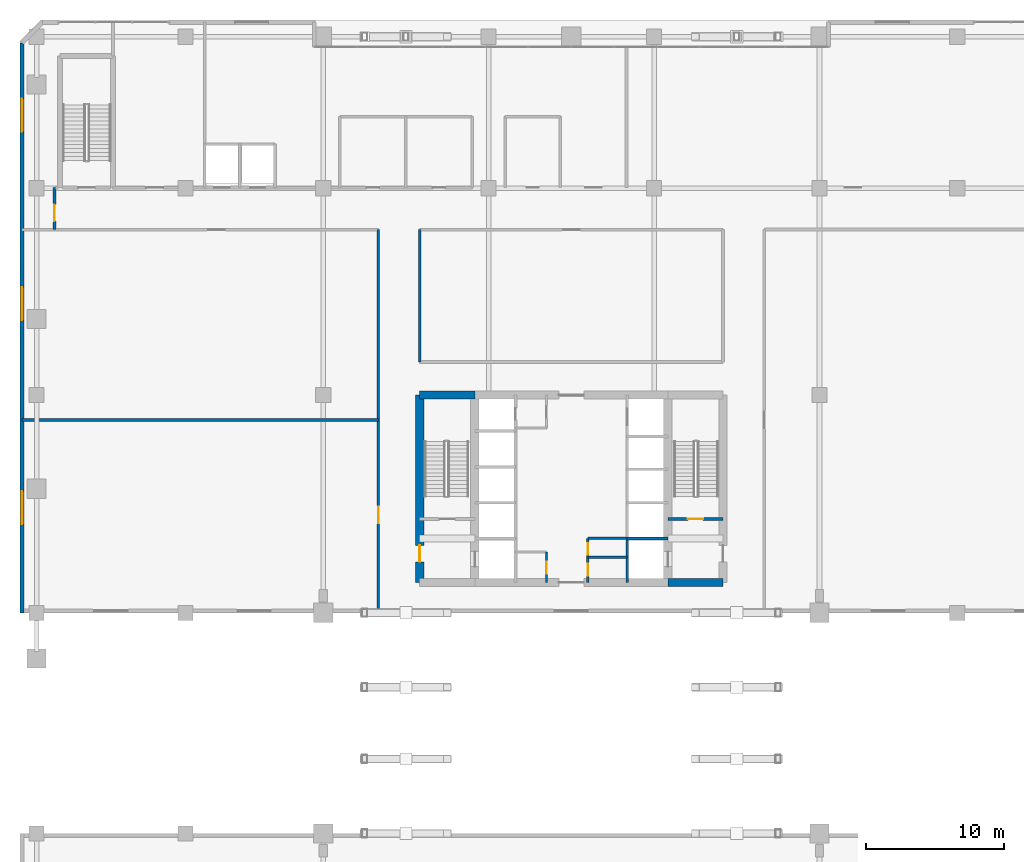
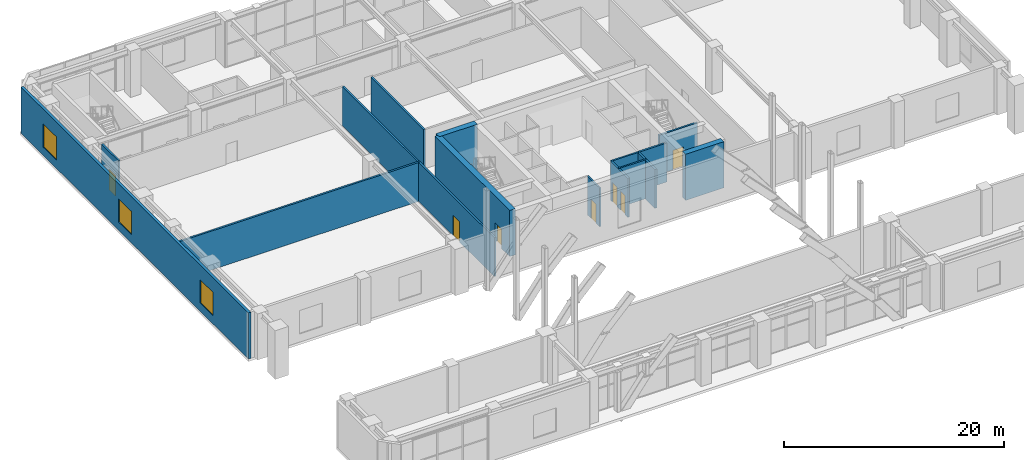
# One storey, part 22 of 28: 15 walls, 7 doors, 3 windows, 10 openings.
"""IFC4 building model written with IfcOpenShell, lengths in metres."""

from ifc_helpers import new_model, si_unit, direction, frame, frame_2d, origin, place, context, subcontext, project, spatial, rectangle, extrude, material, layer, layer_set, type_object, element, fill, save


model = new_model("IFC4")

# Units and contexts
model_context = context("Model", 3, precision=1e-05, world=origin(), true_north=direction((0.0, 1.0)))
body_context = subcontext(model_context, "Body", "Model", "MODEL_VIEW")
ifc_project = project(units=[si_unit("LENGTHUNIT", "METRE"), si_unit("AREAUNIT", "SQUARE_METRE"), si_unit("VOLUMEUNIT", "CUBIC_METRE"), si_unit("PLANEANGLEUNIT", "RADIAN"), si_unit("MASSUNIT", "GRAM", prefix="KILO")], contexts=[model_context])

# Site, building, storey
site_placement = place(None, origin())
site = spatial("IfcSite", under=ifc_project, at=site_placement, CompositionType="ELEMENT")
building_placement = place(site_placement, origin())
building = spatial("IfcBuilding", under=site, at=building_placement, Name="Sarneth Arch Tower", CompositionType="ELEMENT")
storey_placement = place(building_placement, frame((0.0, 0.0, 6.0)))
storey = spatial("IfcBuildingStorey", under=building, at=storey_placement, Name="L01", CompositionType="ELEMENT", Elevation=6.0)

# Walls
ifc_material_1 = material(Name="Concrete C60/75", Category="concrete")
ifc_layer_1 = layer(ifc_material_1, 0.60009765625)
ifc_layer_set_1 = layer_set([ifc_layer_1], Name="Concrete C60/75")
wall_type_1 = type_object("IfcWallType", Name="WALL-CORE-600", PredefinedType="SHEAR", material=ifc_layer_set_1)
for number, where, z_axis, x_axis, name in (
    (1, (55.0, 35.199951171875, 0.0), (0.0, 0.0, 1.0), (1.0, 0.0, 0.0), "L01 Core shear wall S-E"),
    (2, (37.0, 48.800048828125, 0.0), (0.0, 0.0, 1.0), (1.0, 0.0, 0.0), "L01 Core shear wall N-W"),
):
    element("IfcWall", number, at=place(storey_placement, frame(where, z_axis=z_axis, x_axis=x_axis)), inside=storey, type_object=wall_type_1, Name=name, PredefinedType="SHEAR", context=body_context, shape_type="SweptSolid", body=[
        extrude(rectangle(XDim=4.0, YDim=0.60009765625, at=frame_2d((2.0, 0.0))), origin(), (0.0, 0.0, 1.0), 5.1201171875),
    ])

# Wall, opening, door
wall_1_placement = place(storey_placement, frame((37.0, 35.199951171875, 0.0), z_axis=(0.0, 0.0, 1.0), x_axis=(0.0, 1.0, 0.0)))
wall_1 = element("IfcWall", 3, at=wall_1_placement, inside=storey, type_object=wall_type_1, Name="L01 Core shear wall W", PredefinedType="SHEAR", context=body_context, shape_type="SweptSolid", body=[
    extrude(rectangle(XDim=13.60009765625, YDim=0.60009765625, at=frame_2d((6.800048828125, 0.0))), origin(), (0.0, 0.0, 1.0), 5.1201171875),
])
opening_1_placement = place(wall_1_placement, frame((1.5, 0.0, 0.0)))
opening_1 = element("IfcOpeningElement", 4, at=opening_1_placement, cuts=wall_1, Name="Opening FD-02", PredefinedType="OPENING", context=body_context, shape_type="SweptSolid", body=[
    extrude(rectangle(XDim=1.199951171875, YDim=2.14990234375, at=frame_2d((0.60009765625, 1.074951171875))), frame((0.0, 0.31005859375, 0.0), z_axis=(0.0, -1.0, 0.0), x_axis=(1.0, 0.0, 0.0)), (0.0, 0.0, 1.0), 0.6201171875),
])
ifc_material_2 = material(Name="Galvanised Steel S275 fire door set", Category="steel")
door_type_1 = type_object("IfcDoorType", Name="DR-FD90-1200", OperationType="SINGLE_SWING_LEFT", PredefinedType="DOOR", material=ifc_material_2)
door_1_placement = place(opening_1_placement, origin())
door_1 = element("IfcDoor", 5, at=door_1_placement, inside=storey, type_object=door_type_1, Name="L01 Firefighting lobby 1 exit door", OperationType="SINGLE_SWING_LEFT", OverallHeight=2.14990234375, OverallWidth=1.199951171875, PredefinedType="DOOR", context=body_context, shape_type="SweptSolid", body=[
    extrude(rectangle(XDim=1.199951171875, YDim=2.14990234375, at=frame_2d((0.60009765625, 1.074951171875))), frame((0.0, 0.02490234375, 0.0), z_axis=(0.0, -1.0, 0.0), x_axis=(1.0, 0.0, 0.0)), (0.0, 0.0, 1.0), 0.050048828125),
])
fill(opening_1, door_1)

ifc_material_3 = material(Name="Double steel-stud corridor fire wall", Category="steel")
ifc_layer_2 = layer(ifc_material_3, 0.18994140625)
ifc_layer_set_2 = layer_set([ifc_layer_2], Name="Double steel-stud corridor fire wall")
wall_type_2 = type_object("IfcWallType", Name="WALL-CORR-190", PredefinedType="PARTITIONING", material=ifc_layer_set_2)
wall_2_placement = place(storey_placement, frame((34.0, 33.14990234375, 0.0), z_axis=(0.0, 0.0, 1.0), x_axis=(0.0, 1.0, 0.0)))
wall_2 = element("IfcWall", 6, at=wall_2_placement, inside=storey, type_object=wall_type_2, Name="L01 Interior partition W-L01-TP-001", PredefinedType="PARTITIONING", context=body_context, shape_type="SweptSolid", body=[
    extrude(rectangle(XDim=27.650146484375, YDim=0.18994140625, at=frame_2d((13.8251953125, 0.0))), origin(), (0.0, 0.0, 1.0), 4.320068359375),
])
opening_2_placement = place(wall_2_placement, frame((6.341064453125, 0.0, 0.0)))
opening_2 = element("IfcOpeningElement", 7, at=opening_2_placement, cuts=wall_2, Name="Opening FD-06", PredefinedType="OPENING", context=body_context, shape_type="SweptSolid", body=[
    extrude(rectangle(XDim=1.199951171875, YDim=2.25, at=frame_2d((0.60009765625, 1.125))), frame((0.0, 0.10498046875, 0.0), z_axis=(0.0, -1.0, 0.0), x_axis=(1.0, 0.0, 0.0)), (0.0, 0.0, 1.0), 0.2099609375),
])
ifc_material_4 = material(Name="Hardwood timber acoustic fire door", Category="wood")
door_type_2 = type_object("IfcDoorType", Name="DR-FD60-1200", OperationType="SINGLE_SWING_LEFT", PredefinedType="DOOR", material=ifc_material_4)
door_2_placement = place(opening_2_placement, origin())
door_2 = element("IfcDoor", 8, at=door_2_placement, inside=storey, type_object=door_type_2, Name="L01 Interior door DR-L01-RET1", OperationType="SINGLE_SWING_LEFT", OverallHeight=2.25, OverallWidth=1.199951171875, PredefinedType="DOOR", context=body_context, shape_type="SweptSolid", body=[
    extrude(rectangle(XDim=1.199951171875, YDim=2.25, at=frame_2d((0.60009765625, 1.125))), frame((0.0, 0.02490234375, 0.0), z_axis=(0.0, -1.0, 0.0), x_axis=(1.0, 0.0, 0.0)), (0.0, 0.0, 1.0), 0.050048828125),
])
fill(opening_2, door_2)

# Wall
wall_3_placement = place(storey_placement, frame((37.0, 60.800048828125, 0.0), z_axis=(0.0, 0.0, 1.0), x_axis=(0.0, -1.0, 0.0)))
element("IfcWall", 9, at=wall_3_placement, inside=storey, type_object=wall_type_2, Name="L01 Interior partition W-L01-TP-006", PredefinedType="PARTITIONING", context=body_context, shape_type="SweptSolid", body=[
    extrude(rectangle(XDim=9.60009765625, YDim=0.18994140625, at=frame_2d((4.800048828125, 0.0))), origin(), (0.0, 0.0, 1.0), 4.320068359375),
])

# Wall, opening, door
wall_4_placement = place(storey_placement, frame((10.5, 60.800048828125, 0.0), z_axis=(0.0, 0.0, 1.0), x_axis=(0.0, 1.0, 0.0)))
wall_4 = element("IfcWall", 10, at=wall_4_placement, inside=storey, type_object=wall_type_2, Name="L01 Interior partition W-L01-TP-018", PredefinedType="PARTITIONING", context=body_context, shape_type="SweptSolid", body=[
    extrude(rectangle(XDim=3.050048828125, YDim=0.18994140625, at=frame_2d((1.52490234375, 0.0))), origin(), (0.0, 0.0, 1.0), 4.320068359375),
])
opening_3_placement = place(wall_4_placement, frame((0.625, 0.0, 0.0)))
opening_3 = element("IfcOpeningElement", 11, at=opening_3_placement, cuts=wall_4, Name="Opening FD-06", PredefinedType="OPENING", context=body_context, shape_type="SweptSolid", body=[
    extrude(rectangle(XDim=1.199951171875, YDim=2.25, at=frame_2d((0.60009765625, 1.125))), frame((0.0, 0.10498046875, 0.0), z_axis=(0.0, -1.0, 0.0), x_axis=(1.0, 0.0, 0.0)), (0.0, 0.0, 1.0), 0.2099609375),
])
door_3_placement = place(opening_3_placement, origin())
door_3 = element("IfcDoor", 12, at=door_3_placement, inside=storey, type_object=door_type_2, Name="L01 Interior door DR-L01-CLSW", OperationType="SINGLE_SWING_RIGHT", OverallHeight=2.25, OverallWidth=1.199951171875, PredefinedType="DOOR", context=body_context, shape_type="SweptSolid", body=[
    extrude(rectangle(XDim=1.199951171875, YDim=2.25, at=frame_2d((0.60009765625, 1.125))), frame((0.0, 0.02490234375, 0.0), z_axis=(0.0, -1.0, 0.0), x_axis=(1.0, 0.0, 0.0)), (0.0, 0.0, 1.0), 0.050048828125),
])
fill(opening_3, door_3)

# Wall, openings, windows
ifc_material_5 = material(Name="Extruded terracotta rainscreen on Concrete C40/50 backing", Category="masonry")
ifc_layer_3 = layer(ifc_material_5, 0.280029296875)
ifc_layer_set_3 = layer_set([ifc_layer_3], Name="Extruded terracotta rainscreen on Concrete C40/50 backing")
wall_type_3 = type_object("IfcWallType", Name="WALL-EXT-TERRA-280", PredefinedType="SOLIDWALL", material=ifc_layer_set_3)
wall_5_placement = place(storey_placement, frame((8.14990234375, 33.0, 0.0), z_axis=(0.0, 0.0, 1.0), x_axis=(0.0, 1.0, 0.0)))
wall_5 = element("IfcWall", 13, at=wall_5_placement, inside=storey, type_object=wall_type_3, Name="L01 West podium north wall", PredefinedType="SOLIDWALL", context=body_context, shape_type="SweptSolid", body=[
    extrude(rectangle(XDim=41.35009765625, YDim=0.280029296875, at=frame_2d((20.675048828125, 0.0))), origin(), (0.0, 0.0, 1.0), 5.1201171875),
])
opening_4_placement = place(wall_5_placement, frame((6.425048828125, 0.0, 0.89990234375)))
opening_4 = element("IfcOpeningElement", 14, at=opening_4_placement, cuts=wall_5, Name="Opening W-02", PredefinedType="OPENING", context=body_context, shape_type="SweptSolid", body=[
    extrude(rectangle(XDim=2.39990234375, YDim=2.60009765625, at=frame_2d((1.199951171875, 1.300048828125))), frame((0.0, 0.14990234375, 0.0), z_axis=(0.0, -1.0, 0.0), x_axis=(1.0, 0.0, 0.0)), (0.0, 0.0, 1.0), 0.300048828125),
])
opening_5_placement = place(wall_5_placement, frame((21.22509765625, 0.0, 0.89990234375)))
opening_5 = element("IfcOpeningElement", 15, at=opening_5_placement, cuts=wall_5, Name="Opening W-02", PredefinedType="OPENING", context=body_context, shape_type="SweptSolid", body=[
    extrude(rectangle(XDim=2.39990234375, YDim=2.60009765625, at=frame_2d((1.199951171875, 1.300048828125))), frame((0.0, 0.14990234375, 0.0), z_axis=(0.0, -1.0, 0.0), x_axis=(1.0, 0.0, 0.0)), (0.0, 0.0, 1.0), 0.300048828125),
])
opening_6_placement = place(wall_5_placement, frame((34.89990234375, 0.0, 0.89990234375)))
opening_6 = element("IfcOpeningElement", 16, at=opening_6_placement, cuts=wall_5, Name="Opening W-02", PredefinedType="OPENING", context=body_context, shape_type="SweptSolid", body=[
    extrude(rectangle(XDim=2.39990234375, YDim=2.60009765625, at=frame_2d((1.199951171875, 1.300048828125))), frame((0.0, 0.14990234375, 0.0), z_axis=(0.0, -1.0, 0.0), x_axis=(1.0, 0.0, 0.0)), (0.0, 0.0, 1.0), 0.300048828125),
])
ifc_material_6 = material(Name="Thermally broken Aluminium 6063-T6 and low-e laminated IGU", Category="aluminium")
window_type = type_object("IfcWindowType", Name="WIN-POD-2400x2600", PartitioningType="DOUBLE_PANEL_VERTICAL", PredefinedType="WINDOW", material=ifc_material_6)
window_1_placement = place(opening_4_placement, origin())
window_1 = element("IfcWindow", 17, at=window_1_placement, inside=storey, type_object=window_type, Name="L01 West window 1", OverallHeight=2.60009765625, OverallWidth=2.39990234375, PartitioningType="SINGLE_PANEL", PredefinedType="WINDOW", context=body_context, shape_type="SweptSolid", body=[
    extrude(rectangle(XDim=2.39990234375, YDim=2.60009765625, at=frame_2d((1.199951171875, 1.300048828125))), frame((0.0, 0.030029296875, 0.0), z_axis=(0.0, -1.0, 0.0), x_axis=(1.0, 0.0, 0.0)), (0.0, 0.0, 1.0), 0.06005859375),
])
fill(opening_4, window_1)
window_2_placement = place(opening_5_placement, origin())
window_2 = element("IfcWindow", 18, at=window_2_placement, inside=storey, type_object=window_type, Name="L01 West window 2", OverallHeight=2.60009765625, OverallWidth=2.39990234375, PartitioningType="SINGLE_PANEL", PredefinedType="WINDOW", context=body_context, shape_type="SweptSolid", body=[
    extrude(rectangle(XDim=2.39990234375, YDim=2.60009765625, at=frame_2d((1.199951171875, 1.300048828125))), frame((0.0, 0.030029296875, 0.0), z_axis=(0.0, -1.0, 0.0), x_axis=(1.0, 0.0, 0.0)), (0.0, 0.0, 1.0), 0.06005859375),
])
fill(opening_5, window_2)
window_3_placement = place(opening_6_placement, origin())
window_3 = element("IfcWindow", 19, at=window_3_placement, inside=storey, type_object=window_type, Name="L01 West window 3", OverallHeight=2.60009765625, OverallWidth=2.39990234375, PartitioningType="SINGLE_PANEL", PredefinedType="WINDOW", context=body_context, shape_type="SweptSolid", body=[
    extrude(rectangle(XDim=2.39990234375, YDim=2.60009765625, at=frame_2d((1.199951171875, 1.300048828125))), frame((0.0, 0.030029296875, 0.0), z_axis=(0.0, -1.0, 0.0), x_axis=(1.0, 0.0, 0.0)), (0.0, 0.0, 1.0), 0.06005859375),
])
fill(opening_6, window_3)

# Wall, opening, door
ifc_material_7 = material(Name="Acoustic gypsum stud partition", Category="gypsum")
ifc_layer_4 = layer(ifc_material_7, 0.14990234375)
ifc_layer_set_4 = layer_set([ifc_layer_4], Name="Acoustic gypsum stud partition")
wall_type_4 = type_object("IfcWallType", Name="WALL-PART-150", PredefinedType="PARTITIONING", material=ifc_layer_set_4)
wall_6_placement = place(storey_placement, frame((46.199951171875, 35.199951171875, 0.0), z_axis=(0.0, 0.0, 1.0), x_axis=(0.0, 1.0, 0.0)))
wall_6 = element("IfcWall", 20, at=wall_6_placement, inside=storey, type_object=wall_type_4, Name="L01 Interior partition W-L01-CSUP1-E", PredefinedType="PARTITIONING", context=body_context, shape_type="SweptSolid", body=[
    extrude(rectangle(XDim=2.199951171875, YDim=0.14990234375, at=frame_2d((1.10009765625, 0.0))), origin(), (0.0, 0.0, 1.0), 4.320068359375),
])
opening_7_placement = place(wall_6_placement, frame((0.64990234375, 0.0, 0.0)))
opening_7 = element("IfcOpeningElement", 21, at=opening_7_placement, cuts=wall_6, Name="Opening FD-11", PredefinedType="OPENING", context=body_context, shape_type="SweptSolid", body=[
    extrude(rectangle(XDim=0.85009765625, YDim=2.14990234375, at=frame_2d((0.425048828125, 1.074951171875))), frame((0.0, 0.0849609375, 0.0), z_axis=(0.0, -1.0, 0.0), x_axis=(1.0, 0.0, 0.0)), (0.0, 0.0, 1.0), 0.169921875),
])
ifc_material_8 = material(Name="Galvanised Steel S275 closet fire door", Category="steel")
door_type_3 = type_object("IfcDoorType", Name="DR-FD60-850", OperationType="SINGLE_SWING_LEFT", PredefinedType="DOOR", material=ifc_material_8)
door_4_placement = place(opening_7_placement, origin())
door_4 = element("IfcDoor", 22, at=door_4_placement, inside=storey, type_object=door_type_3, Name="L01 Interior door DR-L01-CSUP1", OperationType="SINGLE_SWING_LEFT", OverallHeight=2.14990234375, OverallWidth=0.85009765625, PredefinedType="DOOR", context=body_context, shape_type="SweptSolid", body=[
    extrude(rectangle(XDim=0.85009765625, YDim=2.14990234375, at=frame_2d((0.425048828125, 1.074951171875))), frame((0.0, 0.02490234375, 0.0), z_axis=(0.0, -1.0, 0.0), x_axis=(1.0, 0.0, 0.0)), (0.0, 0.0, 1.0), 0.050048828125),
])
fill(opening_7, door_4)

# Walls
ifc_material_9 = material(Name="Moisture-resistant plumbing chase wall", Category="gypsum")
ifc_layer_5 = layer(ifc_material_9, 0.179931640625)
ifc_layer_set_5 = layer_set([ifc_layer_5], Name="Moisture-resistant plumbing chase wall")
wall_type_5 = type_object("IfcWallType", Name="WALL-PLUMB-180", PredefinedType="PLUMBINGWALL", material=ifc_layer_set_5)
for number, where, z_axis, x_axis, name in (
    (23, (49.199951171875, 37.050048828125, 0.0), (0.0, 0.0, 1.0), (1.0, 0.0, 0.0), "L01 Interior partition W-L01-AWC-M"),
    (24, (49.199951171875, 38.39990234375, 0.0), (0.0, 0.0, 1.0), (1.0, 0.0, 0.0), "L01 Interior partition W-L01-AWC-N"),
):
    element("IfcWall", number, at=place(storey_placement, frame(where, z_axis=z_axis, x_axis=x_axis)), inside=storey, type_object=wall_type_5, Name=name, PredefinedType="PLUMBINGWALL", context=body_context, shape_type="SweptSolid", body=[
        extrude(rectangle(XDim=2.85009765625, YDim=0.179931640625, at=frame_2d((1.425048828125, 0.0))), origin(), (0.0, 0.0, 1.0), 4.320068359375),
    ])

# Wall, openings, doors
wall_7_placement = place(storey_placement, frame((49.199951171875, 35.199951171875, 0.0), z_axis=(0.0, 0.0, 1.0), x_axis=(0.0, 1.0, 0.0)))
wall_7 = element("IfcWall", 25, at=wall_7_placement, inside=storey, type_object=wall_type_5, Name="L01 Interior partition W-L01-AWC-W", PredefinedType="PLUMBINGWALL", context=body_context, shape_type="SweptSolid", body=[
    extrude(rectangle(XDim=3.199951171875, YDim=0.179931640625, at=frame_2d((1.60009765625, 0.0))), origin(), (0.0, 0.0, 1.0), 4.320068359375),
])
opening_8_placement = place(wall_7_placement, frame((0.5, 0.0, 0.0)))
opening_8 = element("IfcOpeningElement", 26, at=opening_8_placement, cuts=wall_7, Name="Opening ID-02", PredefinedType="OPENING", context=body_context, shape_type="SweptSolid", body=[
    extrude(rectangle(XDim=0.85009765625, YDim=2.10009765625, at=frame_2d((0.425048828125, 1.050048828125))), frame((0.0, 0.099853515625, 0.0), z_axis=(0.0, -1.0, 0.0), x_axis=(1.0, 0.0, 0.0)), (0.0, 0.0, 1.0), 0.199951171875),
])
opening_9_placement = place(wall_7_placement, frame((2.0, 0.0, 0.0)))
opening_9 = element("IfcOpeningElement", 27, at=opening_9_placement, cuts=wall_7, Name="Opening FD-11", PredefinedType="OPENING", context=body_context, shape_type="SweptSolid", body=[
    extrude(rectangle(XDim=0.85009765625, YDim=2.14990234375, at=frame_2d((0.425048828125, 1.074951171875))), frame((0.0, 0.099853515625, 0.0), z_axis=(0.0, -1.0, 0.0), x_axis=(1.0, 0.0, 0.0)), (0.0, 0.0, 1.0), 0.199951171875),
])
door_5_placement = place(opening_9_placement, origin())
door_5 = element("IfcDoor", 28, at=door_5_placement, inside=storey, type_object=door_type_3, Name="L01 Interior door DR-L01-CSUP3", OperationType="SINGLE_SWING_LEFT", OverallHeight=2.14990234375, OverallWidth=0.85009765625, PredefinedType="DOOR", context=body_context, shape_type="SweptSolid", body=[
    extrude(rectangle(XDim=0.85009765625, YDim=2.14990234375, at=frame_2d((0.425048828125, 1.074951171875))), frame((0.0, 0.02490234375, 0.0), z_axis=(0.0, -1.0, 0.0), x_axis=(1.0, 0.0, 0.0)), (0.0, 0.0, 1.0), 0.050048828125),
])
fill(opening_9, door_5)
ifc_material_10 = material(Name="Moisture-resistant bathroom timber door", Category="wood")
door_type_4 = type_object("IfcDoorType", Name="DR-INT-850", OperationType="SINGLE_SWING_RIGHT", PredefinedType="DOOR", material=ifc_material_10)
door_6_placement = place(opening_8_placement, origin())
door_6 = element("IfcDoor", 29, at=door_6_placement, inside=storey, type_object=door_type_4, Name="L01 Interior door DR-L01-AWC", OperationType="SINGLE_SWING_RIGHT", OverallHeight=2.10009765625, OverallWidth=0.85009765625, PredefinedType="DOOR", context=body_context, shape_type="SweptSolid", body=[
    extrude(rectangle(XDim=0.85009765625, YDim=2.10009765625, at=frame_2d((0.425048828125, 1.050048828125))), frame((0.0, 0.02490234375, 0.0), z_axis=(0.0, -1.0, 0.0), x_axis=(1.0, 0.0, 0.0)), (0.0, 0.0, 1.0), 0.050048828125),
])
fill(opening_8, door_6)

# Wall, opening, door
ifc_material_11 = material(Name="Aerated concrete blockwork C25/30", Category="masonry")
ifc_layer_6 = layer(ifc_material_11, 0.199951171875)
ifc_layer_set_6 = layer_set([ifc_layer_6], Name="Aerated concrete blockwork C25/30")
wall_type_6 = type_object("IfcWallType", Name="WALL-SHAFT-200", PredefinedType="SOLIDWALL", material=ifc_layer_set_6)
wall_8_placement = place(storey_placement, frame((55.0, 39.800048828125, 0.0), z_axis=(0.0, 0.0, 1.0), x_axis=(1.0, 0.0, 0.0)))
wall_8 = element("IfcWall", 30, at=wall_8_placement, inside=storey, type_object=wall_type_6, Name="L01 Interior partition W-L01-ST2-S", PredefinedType="SOLIDWALL", context=body_context, shape_type="SweptSolid", body=[
    extrude(rectangle(XDim=4.0, YDim=0.199951171875, at=frame_2d((2.0, 0.0))), origin(), (0.0, 0.0, 1.0), 4.320068359375),
])
opening_10_placement = place(wall_8_placement, frame((1.449951171875, 0.0, 0.0)))
opening_10 = element("IfcOpeningElement", 31, at=opening_10_placement, cuts=wall_8, Name="Opening FD-03", PredefinedType="OPENING", context=body_context, shape_type="SweptSolid", body=[
    extrude(rectangle(XDim=1.10009765625, YDim=2.14990234375, at=frame_2d((0.550048828125, 1.074951171875))), frame((0.0, 0.10986328125, 0.0), z_axis=(0.0, -1.0, 0.0), x_axis=(1.0, 0.0, 0.0)), (0.0, 0.0, 1.0), 0.219970703125),
])
ifc_material_12 = material(Name="Galvanised Steel S275 fire door set", Category="steel")
door_type_5 = type_object("IfcDoorType", Name="DR-FD90-1100", OperationType="SINGLE_SWING_LEFT", PredefinedType="DOOR", material=ifc_material_12)
door_7_placement = place(opening_10_placement, origin())
door_7 = element("IfcDoor", 32, at=door_7_placement, inside=storey, type_object=door_type_5, Name="L01 Interior door DR-L01-ST2", OperationType="SINGLE_SWING_RIGHT", OverallHeight=2.14990234375, OverallWidth=1.10009765625, PredefinedType="DOOR", context=body_context, shape_type="SweptSolid", body=[
    extrude(rectangle(XDim=1.10009765625, YDim=2.14990234375, at=frame_2d((0.550048828125, 1.074951171875))), frame((0.0, 0.02490234375, 0.0), z_axis=(0.0, -1.0, 0.0), x_axis=(1.0, 0.0, 0.0)), (0.0, 0.0, 1.0), 0.050048828125),
])
fill(opening_10, door_7)

# Walls
wall_9_placement = place(storey_placement, frame((52.050048828125, 35.199951171875, 0.0), z_axis=(0.0, 0.0, 1.0), x_axis=(0.0, 1.0, 0.0)))
element("IfcWall", 33, at=wall_9_placement, inside=storey, type_object=wall_type_6, Name="L01 Interior partition W-L01-FL2-W", PredefinedType="SOLIDWALL", context=body_context, shape_type="SweptSolid", body=[
    extrude(rectangle(XDim=3.199951171875, YDim=0.199951171875, at=frame_2d((1.60009765625, 0.0))), origin(), (0.0, 0.0, 1.0), 4.320068359375),
])
wall_10_placement = place(storey_placement, frame((52.050048828125, 38.39990234375, 0.0), z_axis=(0.0, 0.0, 1.0), x_axis=(1.0, 0.0, 0.0)))
element("IfcWall", 34, at=wall_10_placement, inside=storey, type_object=wall_type_6, Name="L01 Interior partition W-L01-FL2-N", PredefinedType="SOLIDWALL", context=body_context, shape_type="SweptSolid", body=[
    extrude(rectangle(XDim=2.949951171875, YDim=0.199951171875, at=frame_2d((1.47509765625, 0.0))), origin(), (0.0, 0.0, 1.0), 4.320068359375),
])
ifc_material_13 = material(Name="Double steel-stud acoustic drywall", Category="steel")
ifc_layer_7 = layer(ifc_material_13, 0.199951171875)
ifc_layer_set_7 = layer_set([ifc_layer_7], Name="Double steel-stud acoustic drywall")
wall_type_7 = type_object("IfcWallType", Name="WALL-UNIT-200", PredefinedType="PARTITIONING", material=ifc_layer_set_7)
wall_11_placement = place(storey_placement, frame((8.14990234375, 47.0, 0.0), z_axis=(0.0, 0.0, 1.0), x_axis=(1.0, 0.0, 0.0)))
element("IfcWall", 35, at=wall_11_placement, inside=storey, type_object=wall_type_7, Name="L01 Interior partition W-L01-TP-021", PredefinedType="PARTITIONING", context=body_context, shape_type="SweptSolid", body=[
    extrude(rectangle(XDim=25.85009765625, YDim=0.199951171875, at=frame_2d((12.925048828125, 0.0))), origin(), (0.0, 0.0, 1.0), 4.320068359375),
])

save(model, "model.ifc")
